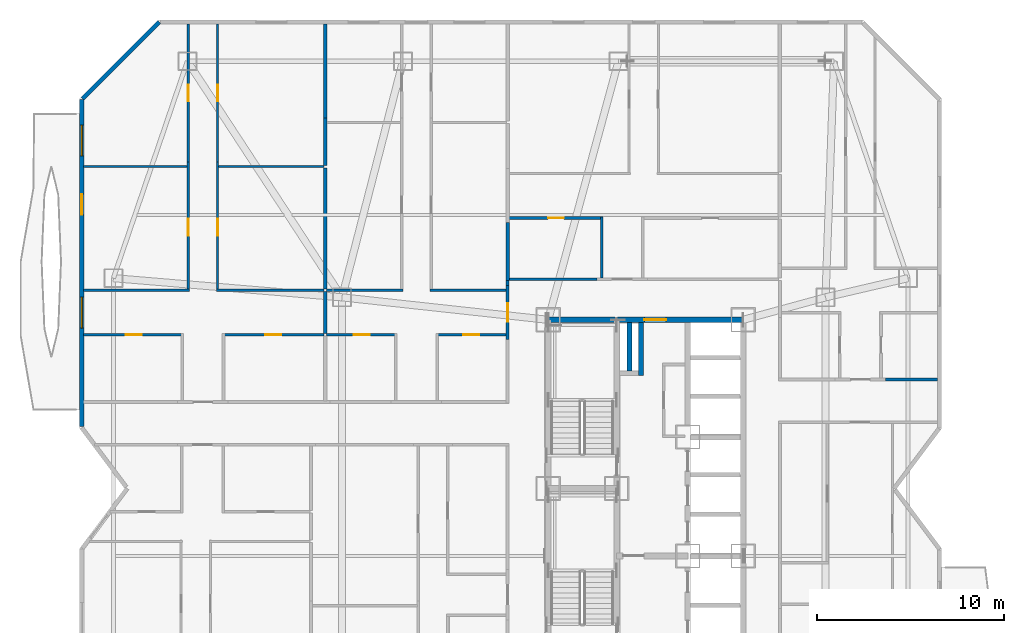
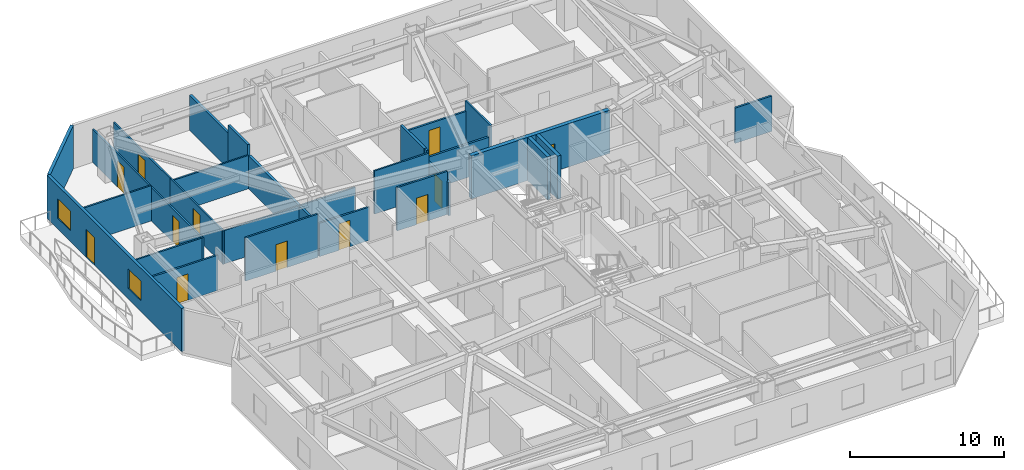
# One storey, part 12 of 16: 30 walls, 12 doors, 2 windows, 14 openings.
"""IFC4 building model written with IfcOpenShell, lengths in metres."""

import ifcopenshell
import ifcopenshell.guid

model = None  # the IFC model being written
_history = None  # IfcOwnerHistory: only IFC2X3 demands one
_inside = {}  # id of a spatial element -> (the spatial element, [elements in it])
_under = {}  # id of a project, library or spatial element -> (it, [spatial elements below it])
_declared = {}  # id of a project -> (the project, [libraries it declares])
_typed = {}  # id of a type object -> (the type object, [elements of that type])
_made_of = {}  # id of a material, layer set ... -> (it, [elements and type objects made of it])


def new_model(schema):
    """Start an empty IFC model of exactly this schema.

    Asked for "IFC4X3", IfcOpenShell would pick the latest addendum, in which some entities
    have other attributes; the version numbers below select the first issue.
    IFC2X3 requires an IfcOwnerHistory on every rooted entity: one is made here for all.
    """
    global model, _history
    if schema == "IFC4X3":
        model = ifcopenshell.file(schema_version=(4, 3, 0, 0))
    else:
        model = ifcopenshell.file(schema=schema)
    _inside.clear()
    _under.clear()
    _declared.clear()
    _typed.clear()
    _made_of.clear()
    _history = None
    if model.schema == "IFC2X3":
        org = make("IfcOrganization", Name="unknown")
        user = make(
            "IfcPersonAndOrganization",
            ThePerson=make("IfcPerson", FamilyName="unknown"),
            TheOrganization=org,
        )
        app = make(
            "IfcApplication",
            ApplicationDeveloper=org,
            Version="unknown",
            ApplicationFullName="unknown",
            ApplicationIdentifier="unknown",
        )
        _history = make(
            "IfcOwnerHistory",
            OwningUser=user,
            OwningApplication=app,
            ChangeAction="ADDED",
            CreationDate=0,
        )
    return model


def make(cls, **values):
    """One entity of the class cls with the attributes given. An attribute that is None is left unset."""
    return model.create_entity(
        cls, **{name: value for name, value in values.items() if value is not None}
    )


def rooted(cls, **values):
    """An entity with a GlobalId (a new one), such as an element, a storey or a relation."""
    return make(cls, GlobalId=ifcopenshell.guid.new(), OwnerHistory=_history, **values)


def si_unit(unit_type, name, prefix=None):
    """IfcSIUnit, for example si_unit("LENGTHUNIT", "METRE", prefix="MILLI")."""
    return make("IfcSIUnit", UnitType=unit_type, Prefix=prefix, Name=name)


def assignment(units):
    """IfcUnitAssignment: the units of a project."""
    return None if units is None else make("IfcUnitAssignment", Units=units)


def point(xyz):
    """IfcCartesianPoint."""
    return None if xyz is None else make("IfcCartesianPoint", Coordinates=xyz)


def direction(xyz):
    """IfcDirection."""
    return None if xyz is None else make("IfcDirection", DirectionRatios=xyz)


def frame(location, z_axis=None, x_axis=None):
    """IfcAxis2Placement3D, a coordinate frame: its origin and axes. An axis left out is left unset."""
    return make(
        "IfcAxis2Placement3D",
        Location=point(location),
        Axis=direction(z_axis),
        RefDirection=direction(x_axis),
    )


def frame_2d(location, x_axis=None):
    """IfcAxis2Placement2D, a coordinate frame in the plane: its origin and x axis."""
    return make(
        "IfcAxis2Placement2D", Location=point(location), RefDirection=direction(x_axis)
    )


def origin():
    """The frame at (0, 0, 0) with its axes left unset."""
    return frame((0.0, 0.0, 0.0))


def place(relative_to, where):
    """IfcLocalPlacement: puts the frame where relative to a parent placement (None: the world)."""
    return make(
        "IfcLocalPlacement", PlacementRelTo=relative_to, RelativePlacement=where
    )


def context(
    kind, dimensions, precision=None, world=None, true_north=None, identifier=None
):
    """IfcGeometricRepresentationContext, for example the 3D "Model" context."""
    return make(
        "IfcGeometricRepresentationContext",
        ContextIdentifier=identifier,
        ContextType=kind,
        CoordinateSpaceDimension=dimensions,
        Precision=precision,
        WorldCoordinateSystem=world,
        TrueNorth=true_north,
    )


def subcontext(parent, identifier, kind, view, scale=None):
    """IfcGeometricRepresentationSubContext, for example "Body" below "Model"."""
    return make(
        "IfcGeometricRepresentationSubContext",
        ContextIdentifier=identifier,
        ContextType=kind,
        ParentContext=parent,
        TargetScale=scale,
        TargetView=view,
    )


def project(units=None, contexts=None):
    """IfcProject with its units and contexts."""
    return rooted(
        "IfcProject",
        Name="project",
        RepresentationContexts=contexts,
        UnitsInContext=assignment(units),
    )


def spatial(cls, under=None, at=None, **own):
    """A site, building, storey or space (cls), placed at a placement, below another one or the project."""
    s = rooted(cls, ObjectPlacement=at, **own)
    if under is not None:
        _under.setdefault(under.id(), (under, []))[1].append(s)
    return s


def profile(cls, at=None, kind="AREA", **sizes):
    """A parametric profile (cls). Its sizes go by their IFC names, for example OverallWidth=200.0."""
    return make(cls, ProfileType=kind, Position=at, **sizes)


def rectangle(**sizes):
    """IfcRectangleProfileDef."""
    return profile("IfcRectangleProfileDef", **sizes)


def extrude(swept, where, along, depth):
    """IfcExtrudedAreaSolid: the profile swept, set in the frame where, extruded along a direction by depth."""
    return make(
        "IfcExtrudedAreaSolid",
        SweptArea=swept,
        Position=where,
        ExtrudedDirection=direction(along),
        Depth=depth,
    )


def shape(context_of_items, identifier, shape_type, items):
    """IfcShapeRepresentation: the items that make up one representation, for example the "Body"."""
    return make(
        "IfcShapeRepresentation",
        ContextOfItems=context_of_items,
        RepresentationIdentifier=identifier,
        RepresentationType=shape_type,
        Items=items,
    )


def material(Name=None, Category=None):
    """IfcMaterial."""
    return make("IfcMaterial", Name=Name, Category=Category)


def layer(
    of_material, thickness, ventilated=None, Name=None, Category=None, Priority=None
):
    """IfcMaterialLayer: one layer of a wall or slab, of a material (None: an air gap)."""
    return make(
        "IfcMaterialLayer",
        Material=of_material,
        LayerThickness=thickness,
        IsVentilated=ventilated,
        Name=Name,
        Category=Category,
        Priority=Priority,
    )


def layer_set(layers, Name=None):
    """IfcMaterialLayerSet."""
    return make("IfcMaterialLayerSet", MaterialLayers=layers, LayerSetName=Name)


def made_of(thing, what):
    """Note that an element or type object is made of a material, layer set ...; save() writes the relation."""
    if what is not None:
        _made_of.setdefault(what.id(), (what, []))[1].append(thing)
    return thing


def type_object(cls, material=None, **own):
    """A type object (cls), such as IfcWallType, which elements share."""
    return made_of(rooted(cls, **own), material)


def element(
    cls,
    number,
    at=None,
    inside=None,
    cuts=None,
    type_object=None,
    material=None,
    context=None,
    identifier="Body",
    shape_type=None,
    held_by="IfcProductDefinitionShape",
    body=None,
    shapes=None,
    **own,
):
    """One element of the class cls, such as IfcWall. Its Tag is "e" and its number.

    at: its placement. inside: the storey or other place that contains it. cuts: it is an
    opening in that element (IfcRelVoidsElement). A single representation is given by context,
    identifier, shape_type and body (its items); several are given by shapes. held_by: the class
    of the entity that holds the representations. save() writes the other relations.
    """
    e = rooted(cls, Tag="e%d" % number, ObjectPlacement=at, **own)
    if body is not None:
        shapes = [shape(context, identifier, shape_type, body)]
    if shapes is not None:
        e.Representation = make(held_by, Representations=shapes)
    if inside is not None:
        _inside.setdefault(inside.id(), (inside, []))[1].append(e)
    if cuts is not None:
        rooted(
            "IfcRelVoidsElement", RelatingBuildingElement=cuts, RelatedOpeningElement=e
        )
    if type_object is not None:
        _typed.setdefault(type_object.id(), (type_object, []))[1].append(e)
    return made_of(e, material)


def fill(opening, filler):
    """IfcRelFillsElement: the door or window that sits in an opening."""
    return rooted(
        "IfcRelFillsElement",
        RelatingOpeningElement=opening,
        RelatedBuildingElement=filler,
    )


def aggregate(whole, parts):
    """IfcRelAggregates: a whole, such as a stair, and the parts it consists of."""
    return rooted("IfcRelAggregates", RelatingObject=whole, RelatedObjects=parts)


def save(model, path):
    """Write the relations noted so far, then the file.

    IfcRelAggregates (storeys below a building ...), IfcRelContainedInSpatialStructure (elements
    in a storey), IfcRelDefinesByType, IfcRelAssociatesMaterial and IfcRelDeclares: one each for
    every whole, place, type object, material and project.
    """
    for whole, parts in _under.values():
        aggregate(whole, parts)
    for where, things in _inside.values():
        rooted(
            "IfcRelContainedInSpatialStructure",
            RelatedElements=things,
            RelatingStructure=where,
        )
    for kind, things in _typed.values():
        rooted("IfcRelDefinesByType", RelatedObjects=things, RelatingType=kind)
    for what, things in _made_of.values():
        rooted("IfcRelAssociatesMaterial", RelatedObjects=things, RelatingMaterial=what)
    for by, libraries in _declared.values():
        rooted("IfcRelDeclares", RelatingContext=by, RelatedDefinitions=libraries)
    model.write(path)


model = new_model("IFC4")

# Units and contexts
model_context = context("Model", 3, precision=1e-05, world=origin(), true_north=direction((0.0, 1.0)))
body_context = subcontext(model_context, "Body", "Model", "MODEL_VIEW")
ifc_project = project(units=[si_unit("LENGTHUNIT", "METRE"), si_unit("AREAUNIT", "SQUARE_METRE"), si_unit("VOLUMEUNIT", "CUBIC_METRE"), si_unit("PLANEANGLEUNIT", "RADIAN"), si_unit("MASSUNIT", "GRAM", prefix="KILO")], contexts=[model_context])

# Site, building, storey
site_placement = place(None, origin())
site = spatial("IfcSite", under=ifc_project, at=site_placement, CompositionType="ELEMENT")
building_placement = place(site_placement, origin())
building = spatial("IfcBuilding", under=site, at=building_placement, Name="Khamvora Tower", CompositionType="ELEMENT")
storey_placement = place(building_placement, frame((0.0, 0.0, 77.10009765625)))
storey = spatial("IfcBuildingStorey", under=building, at=storey_placement, Name="L19", CompositionType="ELEMENT", Elevation=77.10009765625)

# Wall, opening, door
ifc_material_1 = material(Name="Concrete C50/60", Category="concrete")
ifc_layer_1 = layer(ifc_material_1, 0.300048828125)
ifc_layer_set_1 = layer_set([ifc_layer_1], Name="Concrete C50/60")
wall_type_1 = type_object("IfcWallType", Name="WAL-CORE-300", PredefinedType="SHEAR", material=ifc_layer_set_1)
wall_1_placement = place(storey_placement, frame((29.0, 37.0, 0.0), z_axis=(0.0, 0.0, 1.0), x_axis=(1.0, 0.0, 0.0)))
wall_1 = element("IfcWall", 1, at=wall_1_placement, inside=storey, type_object=wall_type_1, Name="L19 central core north wall", PredefinedType="SHEAR", context=body_context, shape_type="SweptSolid", body=[
    extrude(rectangle(XDim=10.39990234375, YDim=0.300048828125, at=frame_2d((5.199951171875, 0.0))), origin(), (0.0, 0.0, 1.0), 3.429931640625),
])
opening_1_placement = place(wall_1_placement, frame((5.139892578125, 0.0, 0.0)))
opening_1 = element("IfcOpeningElement", 2, at=opening_1_placement, cuts=wall_1, Name="Opening D-SC1", PredefinedType="OPENING", context=body_context, shape_type="SweptSolid", body=[
    extrude(rectangle(XDim=1.14990234375, YDim=2.199951171875, at=frame_2d((0.574951171875, 1.10009765625))), frame((0.0, 0.159912109375, 0.0), z_axis=(0.0, -1.0, 0.0), x_axis=(1.0, 0.0, 0.0)), (0.0, 0.0, 1.0), 0.320068359375),
])
ifc_material_2 = material(Name="Powder-Coated Steel and Hardwood Leaf", Category="steel")
door_type_1 = type_object("IfcDoorType", Name="DOR-SCHL-1150", OperationType="NOTDEFINED", PredefinedType="DOOR", material=ifc_material_2)
door_1_placement = place(opening_1_placement, origin())
door_1 = element("IfcDoor", 3, at=door_1_placement, inside=storey, type_object=door_type_1, Name="L19 north core lobby to corridor fire door", OperationType="SINGLE_SWING_LEFT", OverallHeight=2.199951171875, OverallWidth=1.14990234375, PredefinedType="DOOR", context=body_context, shape_type="SweptSolid", body=[
    extrude(rectangle(XDim=1.14990234375, YDim=2.199951171875, at=frame_2d((0.574951171875, 1.10009765625))), frame((0.0, 0.02490234375, 0.0), z_axis=(0.0, -1.0, 0.0), x_axis=(1.0, 0.0, 0.0)), (0.0, 0.0, 1.0), 0.050048828125),
])
fill(opening_1, door_1)

ifc_material_3 = material(Name="Fire-Rated Drywall and Steel Stud", Category="steel")
ifc_layer_2 = layer(ifc_material_3, 0.14990234375)
ifc_layer_set_2 = layer_set([ifc_layer_2], Name="Fire-Rated Drywall and Steel Stud")
wall_type_2 = type_object("IfcWallType", Name="WAL-CORR-150", PredefinedType="STANDARD", material=ifc_layer_set_2)
wall_2_placement = place(storey_placement, frame((26.8349609375, 35.946044921875, 0.0), z_axis=(0.0, 0.0, 1.0), x_axis=(0.0, 1.0, 0.0)))
wall_2 = element("IfcWall", 4, at=wall_2_placement, inside=storey, type_object=wall_type_2, Name="L19 interior partition wall 017", PredefinedType="STANDARD", context=body_context, shape_type="SweptSolid", body=[
    extrude(rectangle(XDim=2.8779296875, YDim=0.14990234375, at=frame_2d((1.43896484375, 0.0))), origin(), (0.0, 0.0, 1.0), 2.64697265625),
])
opening_2_placement = place(wall_2_placement, frame((0.93896484375, 0.0, 0.0)))
opening_2 = element("IfcOpeningElement", 5, at=opening_2_placement, cuts=wall_2, Name="Opening D-U1", PredefinedType="OPENING", context=body_context, shape_type="SweptSolid", body=[
    extrude(rectangle(XDim=1.0, YDim=2.14990234375, at=frame_2d((0.5, 1.074951171875))), frame((0.0, 0.0849609375, 0.0), z_axis=(0.0, -1.0, 0.0), x_axis=(1.0, 0.0, 0.0)), (0.0, 0.0, 1.0), 0.169921875),
])
door_type_2 = type_object("IfcDoorType", Name="DOR-UNIT-1000", OperationType="NOTDEFINED", PredefinedType="DOOR", material=ifc_material_2)
door_2_placement = place(opening_2_placement, origin())
door_2 = element("IfcDoor", 6, at=door_2_placement, inside=storey, type_object=door_type_2, Name="L19 interior door COR-19WCH", OperationType="SINGLE_SWING_RIGHT", OverallHeight=2.14990234375, OverallWidth=1.0, PredefinedType="DOOR", context=body_context, shape_type="SweptSolid", body=[
    extrude(rectangle(XDim=1.0, YDim=2.14990234375, at=frame_2d((0.5, 1.074951171875))), frame((0.0, 0.02490234375, 0.0), z_axis=(0.0, -1.0, 0.0), x_axis=(1.0, 0.0, 0.0)), (0.0, 0.0, 1.0), 0.050048828125),
])
fill(opening_2, door_2)

# Walls
wall_3_placement = place(storey_placement, frame((26.8349609375, 38.823974609375, 0.0), z_axis=(0.0, 0.0, 1.0), x_axis=(0.0, 1.0, 0.0)))
element("IfcWall", 7, at=wall_3_placement, inside=storey, type_object=wall_type_2, Name="L19 interior partition wall 022", PredefinedType="STANDARD", context=body_context, shape_type="SweptSolid", body=[
    extrude(rectangle(XDim=0.276123046875, YDim=0.14990234375, at=frame_2d((0.13818359375, 0.0))), origin(), (0.0, 0.0, 1.0), 3.429931640625),
])
wall_4_placement = place(storey_placement, frame((26.89990234375, 39.1650390625, 0.0), z_axis=(0.0, 0.0, 1.0), x_axis=(1.0, 0.0, 0.0)))
element("IfcWall", 8, at=wall_4_placement, inside=storey, type_object=wall_type_2, Name="L19 interior partition wall 027", PredefinedType="STANDARD", context=body_context, shape_type="SweptSolid", body=[
    extrude(rectangle(XDim=4.701171875, YDim=0.14990234375, at=frame_2d((2.3505859375, 0.0))), origin(), (0.0, 0.0, 1.0), 2.64697265625),
])
wall_5_placement = place(storey_placement, frame((47.009033203125, 33.81494140625, 0.0), z_axis=(0.0, 0.0, 1.0), x_axis=(1.0, 0.0, 0.0)))
element("IfcWall", 9, at=wall_5_placement, inside=storey, type_object=wall_type_2, Name="L19 interior partition wall 039", PredefinedType="STANDARD", context=body_context, shape_type="SweptSolid", body=[
    extrude(rectangle(XDim=2.779052734375, YDim=0.14990234375, at=frame_2d((1.3896484375, 0.0))), origin(), (0.0, 0.0, 1.0), 2.802978515625),
])
ifc_material_4 = material(Name="Acoustic Double-Stud Fire Wall", Category="gypsum")
ifc_layer_3 = layer(ifc_material_4, 0.179931640625)
ifc_layer_set_3 = layer_set([ifc_layer_3], Name="Acoustic Double-Stud Fire Wall")
wall_type_3 = type_object("IfcWallType", Name="WAL-CORR-180", PredefinedType="STANDARD", material=ifc_layer_set_3)
wall_6_placement = place(storey_placement, frame((17.10498046875, 38.510009765625, 0.0), z_axis=(0.0, 0.0, 1.0), x_axis=(0.0, -1.0, 0.0)))
element("IfcWall", 10, at=wall_6_placement, inside=storey, type_object=wall_type_3, Name="L19 interior partition wall 090", PredefinedType="STANDARD", context=body_context, shape_type="SweptSolid", body=[
    extrude(rectangle(XDim=2.25, YDim=0.179931640625, at=frame_2d((1.125, 0.0))), origin(), (0.0, 0.0, 1.0), 2.64697265625),
])
wall_7_placement = place(storey_placement, frame((17.10498046875, 45.111083984375, 0.0), z_axis=(0.0, 0.0, 1.0), x_axis=(0.0, -1.0, 0.0)))
element("IfcWall", 11, at=wall_7_placement, inside=storey, type_object=wall_type_3, Name="L19 interior partition wall 094", PredefinedType="STANDARD", context=body_context, shape_type="SweptSolid", body=[
    extrude(rectangle(XDim=6.47119140625, YDim=0.179931640625, at=frame_2d((3.235595703125, 0.0))), origin(), (0.0, 0.0, 1.0), 2.64697265625),
])
wall_8_placement = place(storey_placement, frame((17.10498046875, 47.781982421875, 0.0), z_axis=(0.0, 0.0, 1.0), x_axis=(0.0, -1.0, 0.0)))
element("IfcWall", 12, at=wall_8_placement, inside=storey, type_object=wall_type_3, Name="L19 interior partition wall 095", PredefinedType="STANDARD", context=body_context, shape_type="SweptSolid", body=[
    extrude(rectangle(XDim=2.541015625, YDim=0.179931640625, at=frame_2d((1.2705078125, 0.0))), origin(), (0.0, 0.0, 1.0), 3.429931640625),
])
wall_9_placement = place(storey_placement, frame((17.10498046875, 52.7880859375, 0.0), z_axis=(0.0, 0.0, 1.0), x_axis=(0.0, -1.0, 0.0)))
element("IfcWall", 13, at=wall_9_placement, inside=storey, type_object=wall_type_3, Name="L19 interior partition wall 096", PredefinedType="STANDARD", context=body_context, shape_type="SweptSolid", body=[
    extrude(rectangle(XDim=5.006103515625, YDim=0.179931640625, at=frame_2d((2.5029296875, 0.0))), origin(), (0.0, 0.0, 1.0), 2.802978515625),
])
wall_10_placement = place(storey_placement, frame((26.8349609375, 42.18505859375, 0.0), z_axis=(0.0, 0.0, 1.0), x_axis=(0.0, -1.0, 0.0)))
element("IfcWall", 14, at=wall_10_placement, inside=storey, type_object=wall_type_3, Name="L19 interior partition wall 110", PredefinedType="STANDARD", context=body_context, shape_type="SweptSolid", body=[
    extrude(rectangle(XDim=3.0849609375, YDim=0.179931640625, at=frame_2d((1.54248046875, 0.0))), origin(), (0.0, 0.0, 1.0), 3.429931640625),
])

# Wall, openings, door, windows
ifc_material_5 = material(Name="Precast concrete C40/50", Category="concrete")
ifc_layer_4 = layer(ifc_material_5, 0.219970703125)
ifc_layer_set_4 = layer_set([ifc_layer_4], Name="Precast concrete C40/50")
wall_type_4 = type_object("IfcWallType", Name="WAL-EXT-220", PredefinedType="STANDARD", material=ifc_layer_set_4)
wall_11_placement = place(storey_placement, frame((4.110107421875, 31.294921875, 0.0), z_axis=(0.0, 0.0, 1.0), x_axis=(0.0, 1.0, 0.0)))
wall_11 = element("IfcWall", 15, at=wall_11_placement, inside=storey, type_object=wall_type_4, Name="L19 exterior facade wall 05.1", PredefinedType="STANDARD", context=body_context, shape_type="SweptSolid", body=[
    extrude(rectangle(XDim=17.458984375, YDim=0.219970703125, at=frame_2d((8.7294921875, 0.0))), origin(), (0.0, 0.0, 1.0), 3.429931640625),
])
opening_3_placement = place(wall_11_placement, frame((11.30810546875, 0.0, 0.0)))
opening_3 = element("IfcOpeningElement", 16, at=opening_3_placement, cuts=wall_11, Name="Opening BD-01", PredefinedType="OPENING", context=body_context, shape_type="SweptSolid", body=[
    extrude(rectangle(XDim=1.10009765625, YDim=2.199951171875, at=frame_2d((0.550048828125, 1.10009765625))), frame((0.0, 0.119873046875, 0.0), z_axis=(0.0, -1.0, 0.0), x_axis=(1.0, 0.0, 0.0)), (0.0, 0.0, 1.0), 0.239990234375),
])
opening_4_placement = place(wall_11_placement, frame((5.264892578125, 0.0, 0.85009765625)))
opening_4 = element("IfcOpeningElement", 17, at=opening_4_placement, cuts=wall_11, Name="Opening WN-06", PredefinedType="OPENING", context=body_context, shape_type="SweptSolid", body=[
    extrude(rectangle(XDim=1.64990234375, YDim=1.550048828125, at=frame_2d((0.824951171875, 0.77490234375))), frame((0.0, 0.119873046875, 0.0), z_axis=(0.0, -1.0, 0.0), x_axis=(1.0, 0.0, 0.0)), (0.0, 0.0, 1.0), 0.239990234375),
])
opening_5_placement = place(wall_11_placement, frame((14.451904296875, 0.0, 0.85009765625)))
opening_5 = element("IfcOpeningElement", 18, at=opening_5_placement, cuts=wall_11, Name="Opening WN-06", PredefinedType="OPENING", context=body_context, shape_type="SweptSolid", body=[
    extrude(rectangle(XDim=1.64990234375, YDim=1.550048828125, at=frame_2d((0.824951171875, 0.77490234375))), frame((0.0, 0.119873046875, 0.0), z_axis=(0.0, -1.0, 0.0), x_axis=(1.0, 0.0, 0.0)), (0.0, 0.0, 1.0), 0.239990234375),
])
ifc_material_6 = material(Name="Anodised Aluminium and Laminated Safety Glass", Category="aluminium")
door_type_3 = type_object("IfcDoorType", Name="DOR-BAL-1100", OperationType="NOTDEFINED", PredefinedType="DOOR", material=ifc_material_6)
door_3_placement = place(opening_3_placement, origin())
door_3 = element("IfcDoor", 19, at=door_3_placement, inside=storey, type_object=door_type_3, Name="L19 lens gallery balcony door WL2", OperationType="SLIDING_TO_LEFT", OverallHeight=2.199951171875, OverallWidth=1.10009765625, PredefinedType="DOOR", context=body_context, shape_type="SweptSolid", body=[
    extrude(rectangle(XDim=1.10009765625, YDim=2.199951171875, at=frame_2d((0.550048828125, 1.10009765625))), frame((0.0, 0.02490234375, 0.0), z_axis=(0.0, -1.0, 0.0), x_axis=(1.0, 0.0, 0.0)), (0.0, 0.0, 1.0), 0.050048828125),
])
fill(opening_3, door_3)
ifc_material_7 = material(Name="Low-E Laminated Double Glazing", Category="glass")
window_type = type_object("IfcWindowType", Name="WIN-VIS-1650x1550", PartitioningType="SINGLE_PANEL", PredefinedType="WINDOW", material=ifc_material_7)
window_1_placement = place(opening_4_placement, origin())
window_1 = element("IfcWindow", 20, at=window_1_placement, inside=storey, type_object=window_type, Name="L19 vision window 05.1.01", OverallHeight=1.550048828125, OverallWidth=1.64990234375, PartitioningType="SINGLE_PANEL", PredefinedType="WINDOW", context=body_context, shape_type="SweptSolid", body=[
    extrude(rectangle(XDim=1.64990234375, YDim=1.550048828125, at=frame_2d((0.824951171875, 0.77490234375))), frame((0.0, 0.030029296875, 0.0), z_axis=(0.0, -1.0, 0.0), x_axis=(1.0, 0.0, 0.0)), (0.0, 0.0, 1.0), 0.06005859375),
])
fill(opening_4, window_1)
window_2_placement = place(opening_5_placement, origin())
window_2 = element("IfcWindow", 21, at=window_2_placement, inside=storey, type_object=window_type, Name="L19 vision window 05.1.02", OverallHeight=1.550048828125, OverallWidth=1.64990234375, PartitioningType="SINGLE_PANEL", PredefinedType="WINDOW", context=body_context, shape_type="SweptSolid", body=[
    extrude(rectangle(XDim=1.64990234375, YDim=1.550048828125, at=frame_2d((0.824951171875, 0.77490234375))), frame((0.0, 0.030029296875, 0.0), z_axis=(0.0, -1.0, 0.0), x_axis=(1.0, 0.0, 0.0)), (0.0, 0.0, 1.0), 0.06005859375),
])
fill(opening_5, window_2)

# Walls
wall_12_placement = place(storey_placement, frame((4.157958984375, 48.802001953125, 0.0), z_axis=(0.0, 0.0, 1.0), x_axis=(0.70712789547, 0.707085666273, 0.0)))
element("IfcWall", 22, at=wall_12_placement, inside=storey, type_object=wall_type_4, Name="L19 exterior facade wall 06.1", PredefinedType="STANDARD", context=body_context, shape_type="SweptSolid", body=[
    extrude(rectangle(XDim=5.78125, YDim=0.219970703125, at=frame_2d((2.890625, 0.0))), origin(), (0.0, 0.0, 1.0), 3.429931640625),
])
ifc_material_8 = material(Name="Gypsum Plasterboard Partition", Category="gypsum")
ifc_layer_5 = layer(ifc_material_8, 0.1201171875)
ifc_layer_set_5 = layer_set([ifc_layer_5], Name="Gypsum Plasterboard Partition")
wall_type_5 = type_object("IfcWallType", Name="WAL-PART-120", PredefinedType="PARTITIONING", material=ifc_layer_set_5)
wall_13_placement = place(storey_placement, frame((4.2119140625, 38.574951171875, 0.0), z_axis=(0.0, 0.0, 1.0), x_axis=(1.0, 0.0, 0.0)))
element("IfcWall", 23, at=wall_13_placement, inside=storey, type_object=wall_type_5, Name="L19 interior partition wall 084", PredefinedType="PARTITIONING", context=body_context, shape_type="SweptSolid", body=[
    extrude(rectangle(XDim=5.64306640625, YDim=0.1201171875, at=frame_2d((2.821533203125, 0.0))), origin(), (0.0, 0.0, 1.0), 2.64697265625),
])

# Wall, opening, door
wall_14_placement = place(storey_placement, frame((9.7900390625, 38.510009765625, 0.0), z_axis=(0.0, 0.0, 1.0), x_axis=(0.0, 1.0, 0.0)))
wall_14 = element("IfcWall", 24, at=wall_14_placement, inside=storey, type_object=wall_type_5, Name="L19 interior partition wall 085", PredefinedType="PARTITIONING", context=body_context, shape_type="SweptSolid", body=[
    extrude(rectangle(XDim=6.9150390625, YDim=0.1201171875, at=frame_2d((3.45751953125, 0.0))), origin(), (0.0, 0.0, 1.0), 2.64697265625),
])
opening_6_placement = place(wall_14_placement, frame((2.986083984375, 0.0, 0.0)))
opening_6 = element("IfcOpeningElement", 25, at=opening_6_placement, cuts=wall_14, Name="Opening D-RM1", PredefinedType="OPENING", context=body_context, shape_type="SweptSolid", body=[
    extrude(rectangle(XDim=0.89990234375, YDim=2.10009765625, at=frame_2d((0.449951171875, 1.050048828125))), frame((0.0, 0.070068359375, 0.0), z_axis=(0.0, -1.0, 0.0), x_axis=(1.0, 0.0, 0.0)), (0.0, 0.0, 1.0), 0.14013671875),
])
door_type_4 = type_object("IfcDoorType", Name="DOR-ROOM-900", OperationType="NOTDEFINED", PredefinedType="DOOR", material=ifc_material_2)
door_4_placement = place(opening_6_placement, origin())
door_4 = element("IfcDoor", 26, at=door_4_placement, inside=storey, type_object=door_type_4, Name="L19 interior door 19WBH-19WBR1", OperationType="SINGLE_SWING_RIGHT", OverallHeight=2.10009765625, OverallWidth=0.89990234375, PredefinedType="DOOR", context=body_context, shape_type="SweptSolid", body=[
    extrude(rectangle(XDim=0.89990234375, YDim=2.10009765625, at=frame_2d((0.449951171875, 1.050048828125))), frame((0.0, 0.02490234375, 0.0), z_axis=(0.0, -1.0, 0.0), x_axis=(1.0, 0.0, 0.0)), (0.0, 0.0, 1.0), 0.050048828125),
])
fill(opening_6, door_4)

wall_15_placement = place(storey_placement, frame((9.7900390625, 45.425048828125, 0.0), z_axis=(0.0, 0.0, 1.0), x_axis=(0.0, 1.0, 0.0)))
wall_15 = element("IfcWall", 27, at=wall_15_placement, inside=storey, type_object=wall_type_5, Name="L19 interior partition wall 086", PredefinedType="PARTITIONING", context=body_context, shape_type="SweptSolid", body=[
    extrude(rectangle(XDim=7.363037109375, YDim=0.1201171875, at=frame_2d((3.681640625, 0.0))), origin(), (0.0, 0.0, 1.0), 2.64697265625),
])
opening_7_placement = place(wall_15_placement, frame((3.23193359375, 0.0, 0.0)))
opening_7 = element("IfcOpeningElement", 28, at=opening_7_placement, cuts=wall_15, Name="Opening D-RM1", PredefinedType="OPENING", context=body_context, shape_type="SweptSolid", body=[
    extrude(rectangle(XDim=0.89990234375, YDim=2.10009765625, at=frame_2d((0.449951171875, 1.050048828125))), frame((0.0, 0.070068359375, 0.0), z_axis=(0.0, -1.0, 0.0), x_axis=(1.0, 0.0, 0.0)), (0.0, 0.0, 1.0), 0.14013671875),
])
door_5_placement = place(opening_7_placement, origin())
door_5 = element("IfcDoor", 29, at=door_5_placement, inside=storey, type_object=door_type_4, Name="L19 interior door 19WBH-19WBR2", OperationType="SINGLE_SWING_LEFT", OverallHeight=2.10009765625, OverallWidth=0.89990234375, PredefinedType="DOOR", context=body_context, shape_type="SweptSolid", body=[
    extrude(rectangle(XDim=0.89990234375, YDim=2.10009765625, at=frame_2d((0.449951171875, 1.050048828125))), frame((0.0, 0.02490234375, 0.0), z_axis=(0.0, -1.0, 0.0), x_axis=(1.0, 0.0, 0.0)), (0.0, 0.0, 1.0), 0.050048828125),
])
fill(opening_7, door_5)

wall_16_placement = place(storey_placement, frame((11.360107421875, 45.425048828125, 0.0), z_axis=(0.0, 0.0, 1.0), x_axis=(0.0, -1.0, 0.0)))
wall_16 = element("IfcWall", 30, at=wall_16_placement, inside=storey, type_object=wall_type_5, Name="L19 interior partition wall 087", PredefinedType="PARTITIONING", context=body_context, shape_type="SweptSolid", body=[
    extrude(rectangle(XDim=6.9150390625, YDim=0.1201171875, at=frame_2d((3.45751953125, 0.0))), origin(), (0.0, 0.0, 1.0), 2.64697265625),
])
opening_8_placement = place(wall_16_placement, frame((3.028076171875, 0.0, 0.0)))
opening_8 = element("IfcOpeningElement", 31, at=opening_8_placement, cuts=wall_16, Name="Opening D-RM1", PredefinedType="OPENING", context=body_context, shape_type="SweptSolid", body=[
    extrude(rectangle(XDim=0.89990234375, YDim=2.10009765625, at=frame_2d((0.449951171875, 1.050048828125))), frame((0.0, 0.070068359375, 0.0), z_axis=(0.0, -1.0, 0.0), x_axis=(1.0, 0.0, 0.0)), (0.0, 0.0, 1.0), 0.14013671875),
])
door_6_placement = place(opening_8_placement, origin())
door_6 = element("IfcDoor", 32, at=door_6_placement, inside=storey, type_object=door_type_4, Name="L19 interior door 19WBH-19WBR3", OperationType="SINGLE_SWING_RIGHT", OverallHeight=2.10009765625, OverallWidth=0.89990234375, PredefinedType="DOOR", context=body_context, shape_type="SweptSolid", body=[
    extrude(rectangle(XDim=0.89990234375, YDim=2.10009765625, at=frame_2d((0.449951171875, 1.050048828125))), frame((0.0, 0.02490234375, 0.0), z_axis=(0.0, -1.0, 0.0), x_axis=(1.0, 0.0, 0.0)), (0.0, 0.0, 1.0), 0.050048828125),
])
fill(opening_8, door_6)

# Wall
wall_17_placement = place(storey_placement, frame((11.294921875, 38.574951171875, 0.0), z_axis=(0.0, 0.0, 1.0), x_axis=(1.0, 0.0, 0.0)))
element("IfcWall", 33, at=wall_17_placement, inside=storey, type_object=wall_type_5, Name="L19 interior partition wall 088", PredefinedType="PARTITIONING", context=body_context, shape_type="SweptSolid", body=[
    extrude(rectangle(XDim=5.7451171875, YDim=0.1201171875, at=frame_2d((2.87255859375, 0.0))), origin(), (0.0, 0.0, 1.0), 2.64697265625),
])

# Wall, opening, door
wall_18_placement = place(storey_placement, frame((11.360107421875, 52.7880859375, 0.0), z_axis=(0.0, 0.0, 1.0), x_axis=(0.0, -1.0, 0.0)))
wall_18 = element("IfcWall", 34, at=wall_18_placement, inside=storey, type_object=wall_type_5, Name="L19 interior partition wall 089", PredefinedType="PARTITIONING", context=body_context, shape_type="SweptSolid", body=[
    extrude(rectangle(XDim=7.363037109375, YDim=0.1201171875, at=frame_2d((3.681640625, 0.0))), origin(), (0.0, 0.0, 1.0), 2.64697265625),
])
opening_9_placement = place(wall_18_placement, frame((3.23193359375, 0.0, 0.0)))
opening_9 = element("IfcOpeningElement", 35, at=opening_9_placement, cuts=wall_18, Name="Opening D-RM1", PredefinedType="OPENING", context=body_context, shape_type="SweptSolid", body=[
    extrude(rectangle(XDim=0.89990234375, YDim=2.10009765625, at=frame_2d((0.449951171875, 1.050048828125))), frame((0.0, 0.070068359375, 0.0), z_axis=(0.0, -1.0, 0.0), x_axis=(1.0, 0.0, 0.0)), (0.0, 0.0, 1.0), 0.14013671875),
])
door_7_placement = place(opening_9_placement, origin())
door_7 = element("IfcDoor", 36, at=door_7_placement, inside=storey, type_object=door_type_4, Name="L19 interior door 19WBH-19WBR4", OperationType="SINGLE_SWING_LEFT", OverallHeight=2.10009765625, OverallWidth=0.89990234375, PredefinedType="DOOR", context=body_context, shape_type="SweptSolid", body=[
    extrude(rectangle(XDim=0.89990234375, YDim=2.10009765625, at=frame_2d((0.449951171875, 1.050048828125))), frame((0.0, 0.02490234375, 0.0), z_axis=(0.0, -1.0, 0.0), x_axis=(1.0, 0.0, 0.0)), (0.0, 0.0, 1.0), 0.050048828125),
])
fill(opening_9, door_7)

# Walls
wall_19_placement = place(storey_placement, frame((4.2119140625, 45.176025390625, 0.0), z_axis=(0.0, 0.0, 1.0), x_axis=(1.0, 0.0, 0.0)))
element("IfcWall", 37, at=wall_19_placement, inside=storey, type_object=wall_type_5, Name="L19 interior partition wall 092", PredefinedType="PARTITIONING", context=body_context, shape_type="SweptSolid", body=[
    extrude(rectangle(XDim=5.524169921875, YDim=0.1201171875, at=frame_2d((2.76220703125, 0.0))), origin(), (0.0, 0.0, 1.0), 2.802978515625),
])
wall_20_placement = place(storey_placement, frame((11.4140625, 45.176025390625, 0.0), z_axis=(0.0, 0.0, 1.0), x_axis=(1.0, 0.0, 0.0)))
element("IfcWall", 38, at=wall_20_placement, inside=storey, type_object=wall_type_5, Name="L19 interior partition wall 093", PredefinedType="PARTITIONING", context=body_context, shape_type="SweptSolid", body=[
    extrude(rectangle(XDim=5.6259765625, YDim=0.1201171875, at=frame_2d((2.81298828125, 0.0))), origin(), (0.0, 0.0, 1.0), 2.64697265625),
])
wall_21_placement = place(storey_placement, frame((17.169921875, 38.574951171875, 0.0), z_axis=(0.0, 0.0, 1.0), x_axis=(1.0, 0.0, 0.0)))
element("IfcWall", 39, at=wall_21_placement, inside=storey, type_object=wall_type_5, Name="L19 interior partition wall 101", PredefinedType="PARTITIONING", context=body_context, shape_type="SweptSolid", body=[
    extrude(rectangle(XDim=4.080078125, YDim=0.1201171875, at=frame_2d((2.0400390625, 0.0))), origin(), (0.0, 0.0, 1.0), 2.64697265625),
])
wall_22_placement = place(storey_placement, frame((22.68994140625, 38.574951171875, 0.0), z_axis=(0.0, 0.0, 1.0), x_axis=(1.0, 0.0, 0.0)))
element("IfcWall", 40, at=wall_22_placement, inside=storey, type_object=wall_type_5, Name="L19 interior partition wall 105", PredefinedType="PARTITIONING", context=body_context, shape_type="SweptSolid", body=[
    extrude(rectangle(XDim=4.080078125, YDim=0.1201171875, at=frame_2d((2.0400390625, 0.0))), origin(), (0.0, 0.0, 1.0), 3.429931640625),
])
ifc_material_9 = material(Name="Concrete C40/50", Category="concrete")
ifc_layer_6 = layer(ifc_material_9, 0.25)
ifc_layer_set_6 = layer_set([ifc_layer_6], Name="Concrete C40/50")
wall_type_6 = type_object("IfcWallType", Name="WAL-PODS-250", PredefinedType="SHEAR", material=ifc_layer_set_6)
wall_23_placement = place(storey_placement, frame((33.955078125, 34.02490234375, 0.0), z_axis=(0.0, 0.0, 1.0), x_axis=(0.0, 1.0, 0.0)))
element("IfcWall", 41, at=wall_23_placement, inside=storey, type_object=wall_type_6, Name="L19 vertical MEP riser shaft east enclosure wall", PredefinedType="SHEAR", context=body_context, shape_type="SweptSolid", body=[
    extrude(rectangle(XDim=2.821044921875, YDim=0.25, at=frame_2d((1.41064453125, 0.0))), origin(), (0.0, 0.0, 1.0), 3.429931640625),
])
wall_24_placement = place(storey_placement, frame((33.340087890625, 34.279052734375, 0.0), z_axis=(0.0, 0.0, 1.0), x_axis=(0.0, 1.0, 0.0)))
element("IfcWall", 42, at=wall_24_placement, inside=storey, type_object=wall_type_6, Name="L19 vertical MEP riser shaft divider enclosure wall", PredefinedType="SHEAR", context=body_context, shape_type="SweptSolid", body=[
    extrude(rectangle(XDim=2.56689453125, YDim=0.25, at=frame_2d((1.283447265625, 0.0))), origin(), (0.0, 0.0, 1.0), 3.429931640625),
])

# Wall, opening, door
ifc_material_10 = material(Name="Moisture-Resistant Plasterboard Partition", Category="gypsum")
ifc_layer_7 = layer(ifc_material_10, 0.135009765625)
ifc_layer_set_7 = layer_set([ifc_layer_7], Name="Moisture-Resistant Plasterboard Partition")
wall_type_7 = type_object("IfcWallType", Name="WAL-WET-135", PredefinedType="PARTITIONING", material=ifc_layer_set_7)
wall_25_placement = place(storey_placement, frame((9.5400390625, 36.195068359375, 0.0), z_axis=(0.0, 0.0, 1.0), x_axis=(-1.0, 0.0, 0.0)))
wall_25 = element("IfcWall", 43, at=wall_25_placement, inside=storey, type_object=wall_type_7, Name="L19 interior partition wall 081", PredefinedType="PARTITIONING", context=body_context, shape_type="SweptSolid", body=[
    extrude(rectangle(XDim=5.328125, YDim=0.135009765625, at=frame_2d((2.6640625, 0.0))), origin(), (0.0, 0.0, 1.0), 2.802978515625),
])
opening_10_placement = place(wall_25_placement, frame((2.239013671875, 0.0, 0.0)))
opening_10 = element("IfcOpeningElement", 44, at=opening_10_placement, cuts=wall_25, Name="Opening D-WC1", PredefinedType="OPENING", context=body_context, shape_type="SweptSolid", body=[
    extrude(rectangle(XDim=0.85009765625, YDim=2.10009765625, at=frame_2d((0.425048828125, 1.050048828125))), frame((0.0, 0.077392578125, 0.0), z_axis=(0.0, -1.0, 0.0), x_axis=(1.0, 0.0, 0.0)), (0.0, 0.0, 1.0), 0.155029296875),
])
door_type_5 = type_object("IfcDoorType", Name="DOR-WET-850", OperationType="NOTDEFINED", PredefinedType="DOOR", material=ifc_material_2)
door_8_placement = place(opening_10_placement, origin())
door_8 = element("IfcDoor", 45, at=door_8_placement, inside=storey, type_object=door_type_5, Name="L19 interior door 19WBH-19WBB", OperationType="SINGLE_SWING_RIGHT", OverallHeight=2.10009765625, OverallWidth=0.85009765625, PredefinedType="DOOR", context=body_context, shape_type="SweptSolid", body=[
    extrude(rectangle(XDim=0.85009765625, YDim=2.10009765625, at=frame_2d((0.425048828125, 1.050048828125))), frame((0.0, 0.02490234375, 0.0), z_axis=(0.0, -1.0, 0.0), x_axis=(1.0, 0.0, 0.0)), (0.0, 0.0, 1.0), 0.050048828125),
])
fill(opening_10, door_8)

wall_26_placement = place(storey_placement, frame((17.0400390625, 36.195068359375, 0.0), z_axis=(0.0, 0.0, 1.0), x_axis=(-1.0, 0.0, 0.0)))
wall_26 = element("IfcWall", 46, at=wall_26_placement, inside=storey, type_object=wall_type_7, Name="L19 interior partition wall 082", PredefinedType="PARTITIONING", context=body_context, shape_type="SweptSolid", body=[
    extrude(rectangle(XDim=5.429931640625, YDim=0.135009765625, at=frame_2d((2.71484375, 0.0))), origin(), (0.0, 0.0, 1.0), 3.429931640625),
])
opening_11_placement = place(wall_26_placement, frame((2.2900390625, 0.0, 0.0)))
opening_11 = element("IfcOpeningElement", 47, at=opening_11_placement, cuts=wall_26, Name="Opening D-RM2", PredefinedType="OPENING", context=body_context, shape_type="SweptSolid", body=[
    extrude(rectangle(XDim=0.85009765625, YDim=2.10009765625, at=frame_2d((0.425048828125, 1.050048828125))), frame((0.0, 0.077392578125, 0.0), z_axis=(0.0, -1.0, 0.0), x_axis=(1.0, 0.0, 0.0)), (0.0, 0.0, 1.0), 0.155029296875),
])
door_type_6 = type_object("IfcDoorType", Name="DOR-ROOM-850", OperationType="NOTDEFINED", PredefinedType="DOOR", material=ifc_material_2)
door_9_placement = place(opening_11_placement, origin())
door_9 = element("IfcDoor", 48, at=door_9_placement, inside=storey, type_object=door_type_6, Name="L19 interior door 19WBH-19WBK", OperationType="SINGLE_SWING_LEFT", OverallHeight=2.10009765625, OverallWidth=0.85009765625, PredefinedType="DOOR", context=body_context, shape_type="SweptSolid", body=[
    extrude(rectangle(XDim=0.85009765625, YDim=2.10009765625, at=frame_2d((0.425048828125, 1.050048828125))), frame((0.0, 0.02490234375, 0.0), z_axis=(0.0, -1.0, 0.0), x_axis=(1.0, 0.0, 0.0)), (0.0, 0.0, 1.0), 0.050048828125),
])
fill(opening_11, door_9)

wall_27_placement = place(storey_placement, frame((20.93505859375, 36.195068359375, 0.0), z_axis=(0.0, 0.0, 1.0), x_axis=(-1.0, 0.0, 0.0)))
wall_27 = element("IfcWall", 49, at=wall_27_placement, inside=storey, type_object=wall_type_7, Name="L19 interior partition wall 098", PredefinedType="PARTITIONING", context=body_context, shape_type="SweptSolid", body=[
    extrude(rectangle(XDim=3.76513671875, YDim=0.135009765625, at=frame_2d((1.882568359375, 0.0))), origin(), (0.0, 0.0, 1.0), 2.64697265625),
])
opening_12_placement = place(wall_27_placement, frame((1.4580078125, 0.0, 0.0)))
opening_12 = element("IfcOpeningElement", 50, at=opening_12_placement, cuts=wall_27, Name="Opening D-WC1", PredefinedType="OPENING", context=body_context, shape_type="SweptSolid", body=[
    extrude(rectangle(XDim=0.85009765625, YDim=2.10009765625, at=frame_2d((0.425048828125, 1.050048828125))), frame((0.0, 0.077392578125, 0.0), z_axis=(0.0, -1.0, 0.0), x_axis=(1.0, 0.0, 0.0)), (0.0, 0.0, 1.0), 0.155029296875),
])
door_10_placement = place(opening_12_placement, origin())
door_10 = element("IfcDoor", 51, at=door_10_placement, inside=storey, type_object=door_type_5, Name="L19 interior door 19WCH-19WCB", OperationType="SINGLE_SWING_RIGHT", OverallHeight=2.10009765625, OverallWidth=0.85009765625, PredefinedType="DOOR", context=body_context, shape_type="SweptSolid", body=[
    extrude(rectangle(XDim=0.85009765625, YDim=2.10009765625, at=frame_2d((0.425048828125, 1.050048828125))), frame((0.0, 0.02490234375, 0.0), z_axis=(0.0, -1.0, 0.0), x_axis=(1.0, 0.0, 0.0)), (0.0, 0.0, 1.0), 0.050048828125),
])
fill(opening_12, door_10)

wall_28_placement = place(storey_placement, frame((26.77001953125, 36.195068359375, 0.0), z_axis=(0.0, 0.0, 1.0), x_axis=(-1.0, 0.0, 0.0)))
wall_28 = element("IfcWall", 52, at=wall_28_placement, inside=storey, type_object=wall_type_7, Name="L19 interior partition wall 099", PredefinedType="PARTITIONING", context=body_context, shape_type="SweptSolid", body=[
    extrude(rectangle(XDim=3.76513671875, YDim=0.135009765625, at=frame_2d((1.882568359375, 0.0))), origin(), (0.0, 0.0, 1.0), 3.429931640625),
])
opening_13_placement = place(wall_28_placement, frame((1.4580078125, 0.0, 0.0)))
opening_13 = element("IfcOpeningElement", 53, at=opening_13_placement, cuts=wall_28, Name="Opening D-RM2", PredefinedType="OPENING", context=body_context, shape_type="SweptSolid", body=[
    extrude(rectangle(XDim=0.85009765625, YDim=2.10009765625, at=frame_2d((0.425048828125, 1.050048828125))), frame((0.0, 0.077392578125, 0.0), z_axis=(0.0, -1.0, 0.0), x_axis=(1.0, 0.0, 0.0)), (0.0, 0.0, 1.0), 0.155029296875),
])
door_11_placement = place(opening_13_placement, origin())
door_11 = element("IfcDoor", 54, at=door_11_placement, inside=storey, type_object=door_type_6, Name="L19 interior door 19WCH-19WCK", OperationType="SINGLE_SWING_LEFT", OverallHeight=2.10009765625, OverallWidth=0.85009765625, PredefinedType="DOOR", context=body_context, shape_type="SweptSolid", body=[
    extrude(rectangle(XDim=0.85009765625, YDim=2.10009765625, at=frame_2d((0.425048828125, 1.050048828125))), frame((0.0, 0.02490234375, 0.0), z_axis=(0.0, -1.0, 0.0), x_axis=(1.0, 0.0, 0.0)), (0.0, 0.0, 1.0), 0.050048828125),
])
fill(opening_13, door_11)

# Wall
wall_29_placement = place(storey_placement, frame((31.85009765625, 39.23193359375, 0.0), z_axis=(0.0, 0.0, 1.0), x_axis=(0.0, 1.0, 0.0)))
element("IfcWall", 55, at=wall_29_placement, inside=storey, type_object=wall_type_7, Name="L19 interior partition wall 124", PredefinedType="PARTITIONING", context=body_context, shape_type="SweptSolid", body=[
    extrude(rectangle(XDim=3.26708984375, YDim=0.135009765625, at=frame_2d((1.633544921875, 0.0))), origin(), (0.0, 0.0, 1.0), 3.429931640625),
])

# Wall, opening, door
wall_30_placement = place(storey_placement, frame((31.9150390625, 42.43408203125, 0.0), z_axis=(0.0, 0.0, 1.0), x_axis=(-1.0, 0.0, 0.0)))
wall_30 = element("IfcWall", 56, at=wall_30_placement, inside=storey, type_object=wall_type_7, Name="L19 interior partition wall 125", PredefinedType="PARTITIONING", context=body_context, shape_type="SweptSolid", body=[
    extrude(rectangle(XDim=4.998046875, YDim=0.135009765625, at=frame_2d((2.4990234375, 0.0))), origin(), (0.0, 0.0, 1.0), 2.64697265625),
])
opening_14_placement = place(wall_30_placement, frame((2.073974609375, 0.0, 0.0)))
opening_14 = element("IfcOpeningElement", 57, at=opening_14_placement, cuts=wall_30, Name="Opening D-WC1", PredefinedType="OPENING", context=body_context, shape_type="SweptSolid", body=[
    extrude(rectangle(XDim=0.85009765625, YDim=2.10009765625, at=frame_2d((0.425048828125, 1.050048828125))), frame((0.0, 0.077392578125, 0.0), z_axis=(0.0, -1.0, 0.0), x_axis=(1.0, 0.0, 0.0)), (0.0, 0.0, 1.0), 0.155029296875),
])
door_12_placement = place(opening_14_placement, origin())
door_12 = element("IfcDoor", 58, at=door_12_placement, inside=storey, type_object=door_type_5, Name="L19 interior door 19NAH-19NAB", OperationType="SINGLE_SWING_LEFT", OverallHeight=2.10009765625, OverallWidth=0.85009765625, PredefinedType="DOOR", context=body_context, shape_type="SweptSolid", body=[
    extrude(rectangle(XDim=0.85009765625, YDim=2.10009765625, at=frame_2d((0.425048828125, 1.050048828125))), frame((0.0, 0.02490234375, 0.0), z_axis=(0.0, -1.0, 0.0), x_axis=(1.0, 0.0, 0.0)), (0.0, 0.0, 1.0), 0.050048828125),
])
fill(opening_14, door_12)

save(model, "model.ifc")
